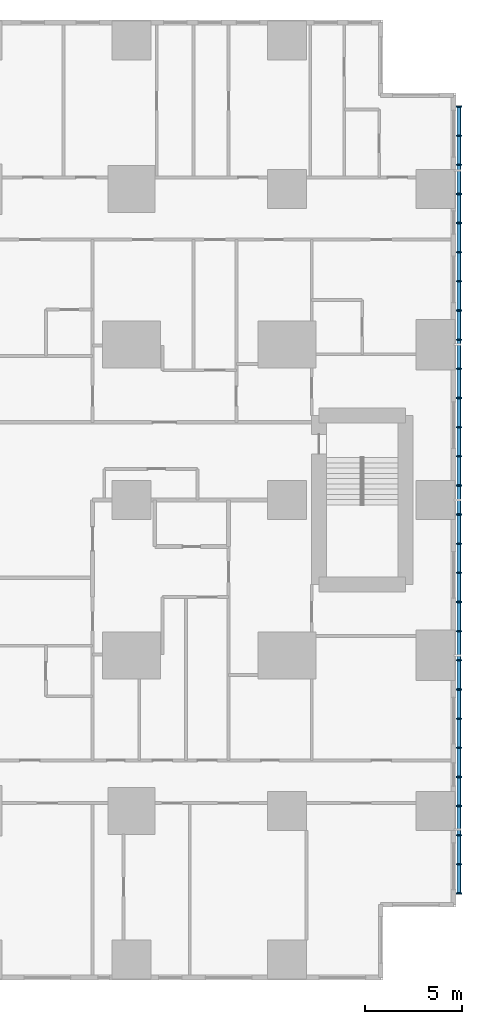
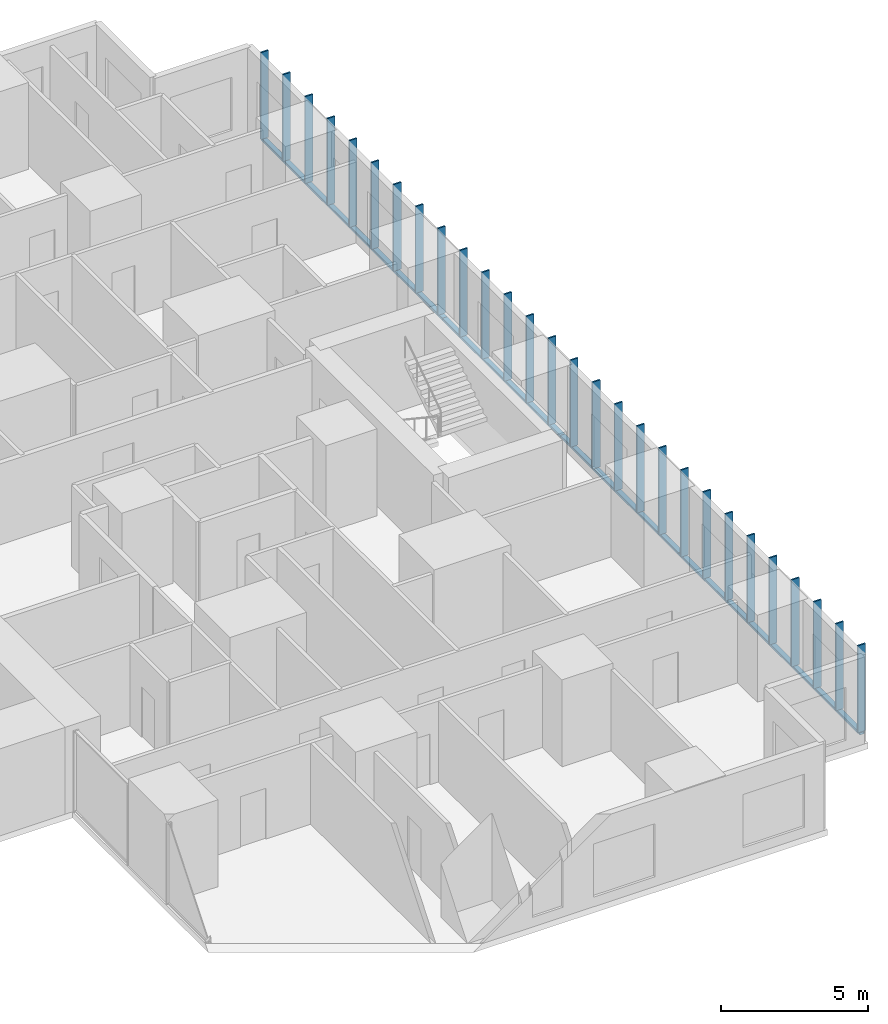
# One storey, part 6 of 20: 32 members.
"""IFC4 building model written with IfcOpenShell, lengths in metres."""

from ifc_helpers import new_model, si_unit, direction, frame, origin, origin_2d, place, context, subcontext, project, spatial, rectangle, hollow_rectangle, extrude, material, material_profile, profile_set, type_object, element, save


model = new_model("IFC4")

# Units and contexts
model_context = context("Model", 3, precision=1e-05, world=origin(), true_north=direction((0.0, 1.0)))
body_context = subcontext(model_context, "Body", "Model", "MODEL_VIEW")
ifc_project = project(units=[si_unit("LENGTHUNIT", "METRE"), si_unit("AREAUNIT", "SQUARE_METRE"), si_unit("VOLUMEUNIT", "CUBIC_METRE"), si_unit("PLANEANGLEUNIT", "RADIAN"), si_unit("MASSUNIT", "GRAM", prefix="KILO")], contexts=[model_context])

# Site, building, storey
site_placement = place(None, origin())
site = spatial("IfcSite", under=ifc_project, at=site_placement, CompositionType="ELEMENT")
building_placement = place(site_placement, origin())
building = spatial("IfcBuilding", under=site, at=building_placement, Name="Cleftline Residences", CompositionType="ELEMENT")
storey_placement = place(building_placement, frame((0.0, 0.0, 135.800048828125)))
storey = spatial("IfcBuildingStorey", under=building, at=storey_placement, Name="L35", CompositionType="ELEMENT", Elevation=135.800048828125)

# Members
ifc_material_1 = material(Name="Steel S355, hot-dip galvanised", Category="steel")
ifc_material_profile_1 = material_profile(ifc_material_1, hollow_rectangle(XDim=0.10009765625, YDim=0.199951171875, WallThickness=0.008056640625, InnerFilletRadius=0.008056640625, OuterFilletRadius=0.011962890625, at=origin_2d()))
ifc_profile_set_1 = profile_set([ifc_material_profile_1], Name="Steel S355, hot-dip galvanised")
member_type_1 = type_object("IfcMemberType", Name="BAGUETTE CARRIER RHS 200X100X8", PredefinedType="USERDEFINED", material=ifc_profile_set_1)
member_1_placement = place(storey_placement, frame((66.85009765625, 3.699951171875, -0.050048828125), z_axis=(0.0, 1.0, 0.0), x_axis=(0.0, 0.0, 1.0)))
element("IfcMember", 1, at=member_1_placement, inside=storey, type_object=member_type_1, Name="Baguette carrier", ObjectType="BAGUETTE CARRIER", PredefinedType="USERDEFINED", context=body_context, shape_type="SweptSolid", body=[
    extrude(hollow_rectangle(XDim=0.10009765625, YDim=0.199951171875, WallThickness=0.008056640625, InnerFilletRadius=0.008056640625, OuterFilletRadius=0.011962890625, at=origin_2d()), origin(), (0.0, 0.0, 1.0), 12.300048828125),
])
for number, where, z_axis, x_axis, name in (
    (2, (66.85009765625, 16.0, -0.050048828125), (0.0, 1.0, 0.0), (0.0, 0.0, 1.0), "Baguette carrier"),
    (3, (66.85009765625, 24.0, -0.050048828125), (0.0, 1.0, 0.0), (0.0, 0.0, 1.0), "Baguette carrier"),
):
    element("IfcMember", number, at=place(storey_placement, frame(where, z_axis=z_axis, x_axis=x_axis)), inside=storey, type_object=member_type_1, Name=name, ObjectType="BAGUETTE CARRIER", PredefinedType="USERDEFINED", context=body_context, shape_type="SweptSolid", body=[
        extrude(hollow_rectangle(XDim=0.10009765625, YDim=0.199951171875, WallThickness=0.008056640625, InnerFilletRadius=0.008056640625, OuterFilletRadius=0.011962890625, at=origin_2d()), origin(), (0.0, 0.0, 1.0), 8.0),
    ])
member_2_placement = place(storey_placement, frame((66.85009765625, 32.0, -0.050048828125), z_axis=(0.0, 1.0, 0.0), x_axis=(0.0, 0.0, 1.0)))
element("IfcMember", 4, at=member_2_placement, inside=storey, type_object=member_type_1, Name="Baguette carrier", ObjectType="BAGUETTE CARRIER", PredefinedType="USERDEFINED", context=body_context, shape_type="SweptSolid", body=[
    extrude(hollow_rectangle(XDim=0.10009765625, YDim=0.199951171875, WallThickness=0.008056640625, InnerFilletRadius=0.008056640625, OuterFilletRadius=0.011962890625, at=origin_2d()), origin(), (0.0, 0.0, 1.0), 12.300048828125),
])
ifc_material_2 = material(Name="Extruded terracotta", Category="masonry")
ifc_material_profile_2 = material_profile(ifc_material_2, rectangle(XDim=0.06005859375, YDim=0.300048828125, at=origin_2d()))
ifc_profile_set_2 = profile_set([ifc_material_profile_2], Name="Extruded terracotta")
member_type_2 = type_object("IfcMemberType", Name="TERRACOTTA BAGUETTE 60X300", PredefinedType="USERDEFINED", material=ifc_profile_set_2)
for number, where, z_axis, x_axis, name in (
    (5, (66.85009765625, 3.75, 0.0), (0.0, 0.0, 1.0), (0.0, 1.0, 0.0), "Terracotta baguette"),
    (6, (66.85009765625, 5.25, 0.0), (0.0, 0.0, 1.0), (0.0, 1.0, 0.0), "Terracotta baguette"),
    (7, (66.85009765625, 6.75, 0.0), (0.0, 0.0, 1.0), (0.0, 1.0, 0.0), "Terracotta baguette"),
    (8, (66.85009765625, 8.25, 0.0), (0.0, 0.0, 1.0), (0.0, 1.0, 0.0), "Terracotta baguette"),
    (9, (66.85009765625, 9.75, 0.0), (0.0, 0.0, 1.0), (0.0, 1.0, 0.0), "Terracotta baguette"),
    (10, (66.85009765625, 11.25, 0.0), (0.0, 0.0, 1.0), (0.0, 1.0, 0.0), "Terracotta baguette"),
    (11, (66.85009765625, 12.75, 0.0), (0.0, 0.0, 1.0), (0.0, 1.0, 0.0), "Terracotta baguette"),
    (12, (66.85009765625, 14.25, 0.0), (0.0, 0.0, 1.0), (0.0, 1.0, 0.0), "Terracotta baguette"),
    (13, (66.85009765625, 15.75, 0.0), (0.0, 0.0, 1.0), (0.0, 1.0, 0.0), "Terracotta baguette"),
    (14, (66.85009765625, 17.25, 0.0), (0.0, 0.0, 1.0), (0.0, 1.0, 0.0), "Terracotta baguette"),
    (15, (66.85009765625, 18.75, 0.0), (0.0, 0.0, 1.0), (0.0, 1.0, 0.0), "Terracotta baguette"),
    (16, (66.85009765625, 20.25, 0.0), (0.0, 0.0, 1.0), (0.0, 1.0, 0.0), "Terracotta baguette"),
    (17, (66.85009765625, 21.75, 0.0), (0.0, 0.0, 1.0), (0.0, 1.0, 0.0), "Terracotta baguette"),
    (18, (66.85009765625, 23.25, 0.0), (0.0, 0.0, 1.0), (0.0, 1.0, 0.0), "Terracotta baguette"),
    (19, (66.85009765625, 24.75, 0.0), (0.0, 0.0, 1.0), (0.0, 1.0, 0.0), "Terracotta baguette"),
    (20, (66.85009765625, 26.25, 0.0), (0.0, 0.0, 1.0), (0.0, 1.0, 0.0), "Terracotta baguette"),
    (21, (66.85009765625, 27.75, 0.0), (0.0, 0.0, 1.0), (0.0, 1.0, 0.0), "Terracotta baguette"),
    (22, (66.85009765625, 29.25, 0.0), (0.0, 0.0, 1.0), (0.0, 1.0, 0.0), "Terracotta baguette"),
    (23, (66.85009765625, 30.75, 0.0), (0.0, 0.0, 1.0), (0.0, 1.0, 0.0), "Terracotta baguette"),
    (24, (66.85009765625, 32.25, 0.0), (0.0, 0.0, 1.0), (0.0, 1.0, 0.0), "Terracotta baguette"),
    (25, (66.85009765625, 33.75, 0.0), (0.0, 0.0, 1.0), (0.0, 1.0, 0.0), "Terracotta baguette"),
    (26, (66.85009765625, 35.25, 0.0), (0.0, 0.0, 1.0), (0.0, 1.0, 0.0), "Terracotta baguette"),
    (27, (66.85009765625, 36.75, 0.0), (0.0, 0.0, 1.0), (0.0, 1.0, 0.0), "Terracotta baguette"),
    (28, (66.85009765625, 38.25, 0.0), (0.0, 0.0, 1.0), (0.0, 1.0, 0.0), "Terracotta baguette"),
    (29, (66.85009765625, 39.75, 0.0), (0.0, 0.0, 1.0), (0.0, 1.0, 0.0), "Terracotta baguette"),
    (30, (66.85009765625, 41.25, 0.0), (0.0, 0.0, 1.0), (0.0, 1.0, 0.0), "Terracotta baguette"),
    (31, (66.85009765625, 42.75, 0.0), (0.0, 0.0, 1.0), (0.0, 1.0, 0.0), "Terracotta baguette"),
    (32, (66.85009765625, 44.25, 0.0), (0.0, 0.0, 1.0), (0.0, 1.0, 0.0), "Terracotta baguette"),
):
    element("IfcMember", number, at=place(storey_placement, frame(where, z_axis=z_axis, x_axis=x_axis)), inside=storey, type_object=member_type_2, Name=name, ObjectType="BAGUETTE", PredefinedType="USERDEFINED", context=body_context, shape_type="SweptSolid", body=[
        extrude(rectangle(XDim=0.06005859375, YDim=0.300048828125, at=origin_2d()), origin(), (0.0, 0.0, 1.0), 3.599853515625),
    ])

save(model, "model.ifc")
